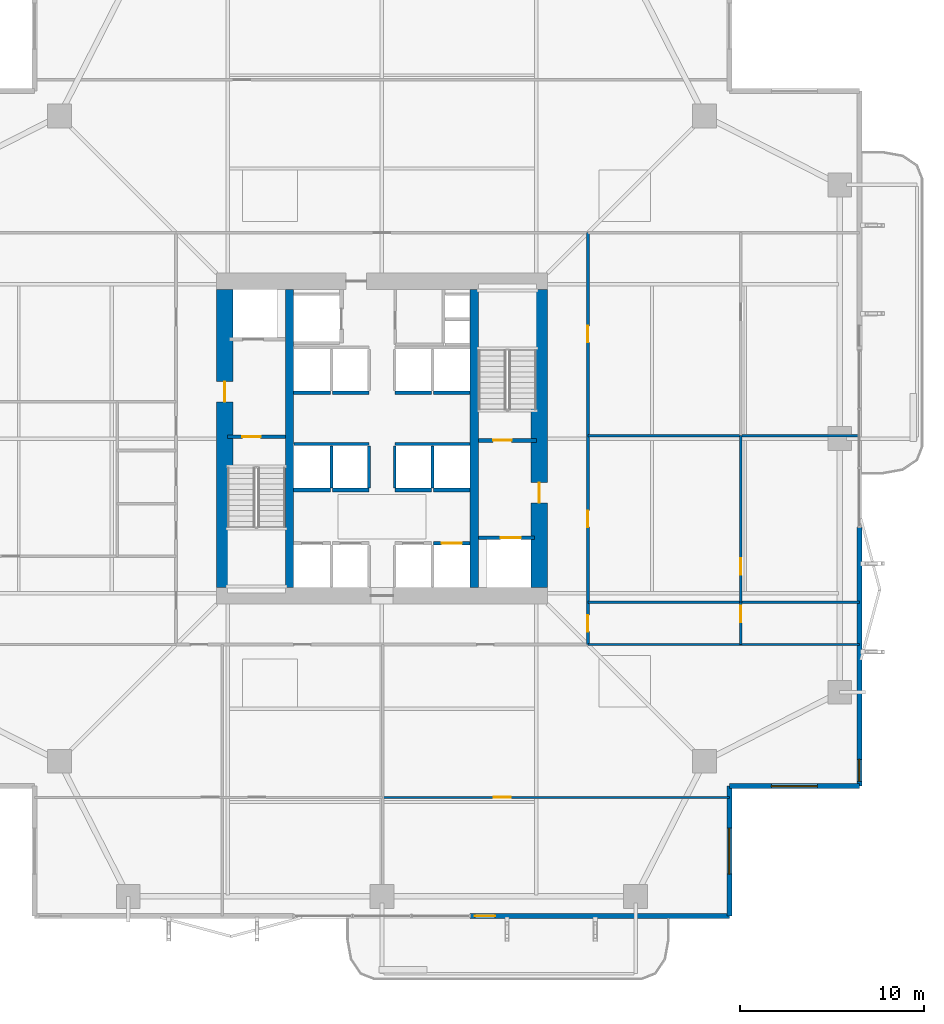
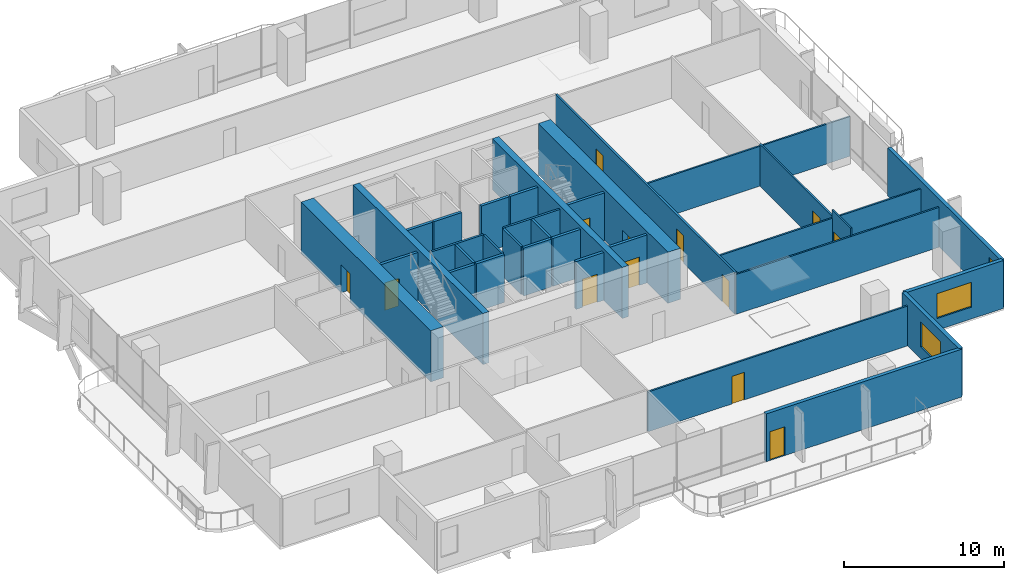
# One storey, part 18 of 24: 33 walls, 13 doors, 3 windows, 16 openings.
"""IFC4 building model written with IfcOpenShell, lengths in metres."""

from ifc_helpers import new_model, si_unit, direction, frame, frame_2d, origin, place, context, subcontext, project, spatial, rectangle, extrude, material, layer, layer_set, type_object, element, fill, save


model = new_model("IFC4")

# Units and contexts
model_context = context("Model", 3, precision=1e-05, world=origin(), true_north=direction((0.0, 1.0)))
body_context = subcontext(model_context, "Body", "Model", "MODEL_VIEW")
ifc_project = project(units=[si_unit("LENGTHUNIT", "METRE"), si_unit("AREAUNIT", "SQUARE_METRE"), si_unit("VOLUMEUNIT", "CUBIC_METRE"), si_unit("PLANEANGLEUNIT", "RADIAN"), si_unit("MASSUNIT", "GRAM", prefix="KILO")], contexts=[model_context])

# Site, building, storey
site_placement = place(None, origin())
site = spatial("IfcSite", under=ifc_project, at=site_placement, CompositionType="ELEMENT")
building_placement = place(site_placement, origin())
building = spatial("IfcBuilding", under=site, at=building_placement, Name="Belovzor Exchange Tower", CompositionType="ELEMENT")
storey_placement = place(building_placement, frame((0.0, 0.0, 121.199951171875)))
storey = spatial("IfcBuildingStorey", under=building, at=storey_placement, Name="L29", CompositionType="ELEMENT", Elevation=121.199951171875)

# Wall, opening, door
ifc_material_1 = material(Name="Acoustic Plasterboard on Galvanised Studs", Category="gypsum")
ifc_layer_1 = layer(ifc_material_1, 0.1201171875)
ifc_layer_set_1 = layer_set([ifc_layer_1], Name="Acoustic Plasterboard on Galvanised Studs")
wall_type_1 = type_object("IfcWallType", Name="Acoustic Double-Stud Partition Wall 120", PredefinedType="PARTITIONING", material=ifc_layer_set_1)
wall_1_placement = place(storey_placement, frame((28.839111328125, 9.280029296875, 0.0), z_axis=(0.0, 0.0, 1.0), x_axis=(1.0, 0.0, 0.0)))
wall_1 = element("IfcWall", 1, at=wall_1_placement, inside=storey, type_object=wall_type_1, Name="W-P120 Partition Wall W-L29-SHDIV-2", PredefinedType="PARTITIONING", context=body_context, shape_type="SweptSolid", body=[
    extrude(rectangle(XDim=18.86083984375, YDim=0.1201171875, at=frame_2d((9.430419921875, 0.0))), origin(), (0.0, 0.0, 1.0), 3.03515625),
])
opening_1_placement = place(wall_1_placement, frame((6.053955078125, 0.0, 0.0)))
opening_1 = element("IfcOpeningElement", 2, at=opening_1_placement, cuts=wall_1, Name="Opening D-INT-090", PredefinedType="OPENING", context=body_context, shape_type="SweptSolid", body=[
    extrude(rectangle(XDim=0.89990234375, YDim=2.10009765625, at=frame_2d((0.449951171875, 1.050048828125))), frame((0.0, 0.070068359375, 0.0), z_axis=(0.0, -1.0, 0.0), x_axis=(1.0, 0.0, 0.0)), (0.0, 0.0, 1.0), 0.14013671875),
])
ifc_material_2 = material(Name="Veneered Hardwood Acoustic Leaf", Category="wood")
door_type_1 = type_object("IfcDoorType", Name="Trading Suite Acoustic Single Door 900x2100", OperationType="NOTDEFINED", PredefinedType="DOOR", material=ifc_material_2)
door_1_placement = place(opening_1_placement, origin())
door_1 = element("IfcDoor", 3, at=door_1_placement, inside=storey, type_object=door_type_1, Name="D-INT-090 Trading Suite Acoustic Single Door 900x2100", OperationType="SINGLE_SWING_LEFT", OverallHeight=2.10009765625, OverallWidth=0.89990234375, PredefinedType="DOOR", context=body_context, shape_type="SweptSolid", body=[
    extrude(rectangle(XDim=0.89990234375, YDim=2.10009765625, at=frame_2d((0.449951171875, 1.050048828125))), frame((0.0, 0.02490234375, 0.0), z_axis=(0.0, -1.0, 0.0), x_axis=(1.0, 0.0, 0.0)), (0.0, 0.0, 1.0), 0.050048828125),
])
fill(opening_1, door_1)

# Wall
wall_2_placement = place(storey_placement, frame((40.0, 17.60009765625, 0.0), z_axis=(0.0, 0.0, 1.0), x_axis=(1.0, 0.0, 0.0)))
element("IfcWall", 4, at=wall_2_placement, inside=storey, type_object=wall_type_1, Name="W-P120 Partition Wall W-L29-END-SE", PredefinedType="PARTITIONING", context=body_context, shape_type="SweptSolid", body=[
    extrude(rectangle(XDim=14.77001953125, YDim=0.1201171875, at=frame_2d((7.385009765625, 0.0))), origin(), (0.0, 0.0, 1.0), 3.03515625),
])

# Wall, opening, door
wall_3_placement = place(storey_placement, frame((48.320068359375, 17.60009765625, 0.0), z_axis=(0.0, 0.0, 1.0), x_axis=(0.0, 1.0, 0.0)))
wall_3 = element("IfcWall", 5, at=wall_3_placement, inside=storey, type_object=wall_type_1, Name="W-P120 Partition Wall W-L29-EHDIV-0", PredefinedType="PARTITIONING", context=body_context, shape_type="SweptSolid", body=[
    extrude(rectangle(XDim=2.2998046875, YDim=0.1201171875, at=frame_2d((1.14990234375, 0.0))), origin(), (0.0, 0.0, 1.0), 3.650146484375),
])
opening_2_placement = place(wall_3_placement, frame((1.199951171875, 0.0, 0.0)))
opening_2 = element("IfcOpeningElement", 6, at=opening_2_placement, cuts=wall_3, Name="Opening D-INT-090", PredefinedType="OPENING", context=body_context, shape_type="SweptSolid", body=[
    extrude(rectangle(XDim=0.89990234375, YDim=2.10009765625, at=frame_2d((0.449951171875, 1.050048828125))), frame((0.0, 0.070068359375, 0.0), z_axis=(0.0, -1.0, 0.0), x_axis=(1.0, 0.0, 0.0)), (0.0, 0.0, 1.0), 0.14013671875),
])
door_2_placement = place(opening_2_placement, origin())
door_2 = element("IfcDoor", 7, at=door_2_placement, inside=storey, type_object=door_type_1, Name="D-INT-090 Trading Suite Acoustic Single Door 900x2100", OperationType="SINGLE_SWING_RIGHT", OverallHeight=2.10009765625, OverallWidth=0.89990234375, PredefinedType="DOOR", context=body_context, shape_type="SweptSolid", body=[
    extrude(rectangle(XDim=0.89990234375, YDim=2.10009765625, at=frame_2d((0.449951171875, 1.050048828125))), frame((0.0, 0.02490234375, 0.0), z_axis=(0.0, -1.0, 0.0), x_axis=(1.0, 0.0, 0.0)), (0.0, 0.0, 1.0), 0.050048828125),
])
fill(opening_2, door_2)

# Wall
wall_4_placement = place(storey_placement, frame((40.0, 19.89990234375, 0.0), z_axis=(0.0, 0.0, 1.0), x_axis=(1.0, 0.0, 0.0)))
element("IfcWall", 8, at=wall_4_placement, inside=storey, type_object=wall_type_1, Name="W-P120 Partition Wall W-L29-EDIV-1", PredefinedType="PARTITIONING", context=body_context, shape_type="SweptSolid", body=[
    extrude(rectangle(XDim=14.77001953125, YDim=0.1201171875, at=frame_2d((7.385009765625, 0.0))), origin(), (0.0, 0.0, 1.0), 3.03515625),
])

# Wall, opening, door
wall_5_placement = place(storey_placement, frame((48.320068359375, 19.89990234375, 0.0), z_axis=(0.0, 0.0, 1.0), x_axis=(0.0, 1.0, 0.0)))
wall_5 = element("IfcWall", 9, at=wall_5_placement, inside=storey, type_object=wall_type_1, Name="W-P120 Partition Wall W-L29-EHDIV-1", PredefinedType="PARTITIONING", context=body_context, shape_type="SweptSolid", body=[
    extrude(rectangle(XDim=9.05615234375, YDim=0.1201171875, at=frame_2d((4.528076171875, 0.0))), origin(), (0.0, 0.0, 1.0), 3.18505859375),
])
opening_3_placement = place(wall_5_placement, frame((1.492919921875, 0.0, 0.0)))
opening_3 = element("IfcOpeningElement", 10, at=opening_3_placement, cuts=wall_5, Name="Opening D-INT-090", PredefinedType="OPENING", context=body_context, shape_type="SweptSolid", body=[
    extrude(rectangle(XDim=0.89990234375, YDim=2.10009765625, at=frame_2d((0.449951171875, 1.050048828125))), frame((0.0, 0.070068359375, 0.0), z_axis=(0.0, -1.0, 0.0), x_axis=(1.0, 0.0, 0.0)), (0.0, 0.0, 1.0), 0.14013671875),
])
door_3_placement = place(opening_3_placement, origin())
door_3 = element("IfcDoor", 11, at=door_3_placement, inside=storey, type_object=door_type_1, Name="D-INT-090 Trading Suite Acoustic Single Door 900x2100", OperationType="SINGLE_SWING_RIGHT", OverallHeight=2.10009765625, OverallWidth=0.89990234375, PredefinedType="DOOR", context=body_context, shape_type="SweptSolid", body=[
    extrude(rectangle(XDim=0.89990234375, YDim=2.10009765625, at=frame_2d((0.449951171875, 1.050048828125))), frame((0.0, 0.02490234375, 0.0), z_axis=(0.0, -1.0, 0.0), x_axis=(1.0, 0.0, 0.0)), (0.0, 0.0, 1.0), 0.050048828125),
])
fill(opening_3, door_3)

# Wall
wall_6_placement = place(storey_placement, frame((40.0, 28.9560546875, 0.0), z_axis=(0.0, 0.0, 1.0), x_axis=(1.0, 0.0, 0.0)))
element("IfcWall", 12, at=wall_6_placement, inside=storey, type_object=wall_type_1, Name="W-P120 Partition Wall W-L29-EDIV-2", PredefinedType="PARTITIONING", context=body_context, shape_type="SweptSolid", body=[
    extrude(rectangle(XDim=14.77001953125, YDim=0.1201171875, at=frame_2d((7.385009765625, 0.0))), origin(), (0.0, 0.0, 1.0), 3.03515625),
])

# Wall, openings, doors
ifc_material_3 = material(Name="Fire-Rated Gypsum Block and Mineral Wool", Category="gypsum")
ifc_layer_2 = layer(ifc_material_3, 0.14990234375)
ifc_layer_set_2 = layer_set([ifc_layer_2], Name="Fire-Rated Gypsum Block and Mineral Wool")
wall_type_2 = type_object("IfcWallType", Name="Fire-Rated Gypsum Block Corridor Wall 150", PredefinedType="PARTITIONING", material=ifc_layer_set_2)
wall_7_placement = place(storey_placement, frame((40.0, 17.60009765625, 0.0), z_axis=(0.0, 0.0, 1.0), x_axis=(0.0, 1.0, 0.0)))
wall_7 = element("IfcWall", 13, at=wall_7_placement, inside=storey, type_object=wall_type_2, Name="W-P150 Partition Wall W-L29-CE", PredefinedType="PARTITIONING", context=body_context, shape_type="SweptSolid", body=[
    extrude(rectangle(XDim=22.39990234375, YDim=0.14990234375, at=frame_2d((11.199951171875, 0.0))), origin(), (0.0, 0.0, 1.0), 3.18505859375),
])
opening_4_placement = place(wall_7_placement, frame((0.699951171875, 0.0, 0.0)))
opening_4 = element("IfcOpeningElement", 14, at=opening_4_placement, cuts=wall_7, Name="Opening D-INT-090", PredefinedType="OPENING", context=body_context, shape_type="SweptSolid", body=[
    extrude(rectangle(XDim=0.89990234375, YDim=2.10009765625, at=frame_2d((0.449951171875, 1.050048828125))), frame((0.0, 0.0849609375, 0.0), z_axis=(0.0, -1.0, 0.0), x_axis=(1.0, 0.0, 0.0)), (0.0, 0.0, 1.0), 0.169921875),
])
opening_5_placement = place(wall_7_placement, frame((6.3779296875, 0.0, 0.0)))
opening_5 = element("IfcOpeningElement", 15, at=opening_5_placement, cuts=wall_7, Name="Opening D-INT-090", PredefinedType="OPENING", context=body_context, shape_type="SweptSolid", body=[
    extrude(rectangle(XDim=0.89990234375, YDim=2.10009765625, at=frame_2d((0.449951171875, 1.050048828125))), frame((0.0, 0.0849609375, 0.0), z_axis=(0.0, -1.0, 0.0), x_axis=(1.0, 0.0, 0.0)), (0.0, 0.0, 1.0), 0.169921875),
])
opening_6_placement = place(wall_7_placement, frame((16.427978515625, 0.0, 0.0)))
opening_6 = element("IfcOpeningElement", 16, at=opening_6_placement, cuts=wall_7, Name="Opening D-INT-090", PredefinedType="OPENING", context=body_context, shape_type="SweptSolid", body=[
    extrude(rectangle(XDim=0.89990234375, YDim=2.10009765625, at=frame_2d((0.449951171875, 1.050048828125))), frame((0.0, 0.0849609375, 0.0), z_axis=(0.0, -1.0, 0.0), x_axis=(1.0, 0.0, 0.0)), (0.0, 0.0, 1.0), 0.169921875),
])
door_4_placement = place(opening_4_placement, origin())
door_4 = element("IfcDoor", 17, at=door_4_placement, inside=storey, type_object=door_type_1, Name="D-INT-090 Trading Suite Acoustic Single Door 900x2100", OperationType="SINGLE_SWING_LEFT", OverallHeight=2.10009765625, OverallWidth=0.89990234375, PredefinedType="DOOR", context=body_context, shape_type="SweptSolid", body=[
    extrude(rectangle(XDim=0.89990234375, YDim=2.10009765625, at=frame_2d((0.449951171875, 1.050048828125))), frame((0.0, 0.02490234375, 0.0), z_axis=(0.0, -1.0, 0.0), x_axis=(1.0, 0.0, 0.0)), (0.0, 0.0, 1.0), 0.050048828125),
])
fill(opening_4, door_4)
door_5_placement = place(opening_5_placement, origin())
door_5 = element("IfcDoor", 18, at=door_5_placement, inside=storey, type_object=door_type_1, Name="D-INT-090 Trading Suite Acoustic Single Door 900x2100", OperationType="SINGLE_SWING_RIGHT", OverallHeight=2.10009765625, OverallWidth=0.89990234375, PredefinedType="DOOR", context=body_context, shape_type="SweptSolid", body=[
    extrude(rectangle(XDim=0.89990234375, YDim=2.10009765625, at=frame_2d((0.449951171875, 1.050048828125))), frame((0.0, 0.02490234375, 0.0), z_axis=(0.0, -1.0, 0.0), x_axis=(1.0, 0.0, 0.0)), (0.0, 0.0, 1.0), 0.050048828125),
])
fill(opening_5, door_5)
door_6_placement = place(opening_6_placement, origin())
door_6 = element("IfcDoor", 19, at=door_6_placement, inside=storey, type_object=door_type_1, Name="D-INT-090 Trading Suite Acoustic Single Door 900x2100", OperationType="SINGLE_SWING_LEFT", OverallHeight=2.10009765625, OverallWidth=0.89990234375, PredefinedType="DOOR", context=body_context, shape_type="SweptSolid", body=[
    extrude(rectangle(XDim=0.89990234375, YDim=2.10009765625, at=frame_2d((0.449951171875, 1.050048828125))), frame((0.0, 0.02490234375, 0.0), z_axis=(0.0, -1.0, 0.0), x_axis=(1.0, 0.0, 0.0)), (0.0, 0.0, 1.0), 0.050048828125),
])
fill(opening_6, door_6)

# Wall, opening, window
ifc_material_4 = material(Name="Precast concrete C40/50", Category="concrete")
ifc_layer_3 = layer(ifc_material_4, 0.280029296875)
ifc_layer_set_3 = layer_set([ifc_layer_3], Name="Precast concrete C40/50")
wall_type_3 = type_object("IfcWallType", Name="Precast Concrete Notched Corner Frame Wall 280", PredefinedType="SOLIDWALL", material=ifc_layer_set_3)
wall_8_placement = place(storey_placement, frame((54.77001953125, 9.89990234375, 0.0), z_axis=(0.0, 0.0, 1.0), x_axis=(-1.0, 0.0, 0.0)))
wall_8 = element("IfcWall", 20, at=wall_8_placement, inside=storey, type_object=wall_type_3, Name="W-CRN280 Precast Concrete Notched Corner Frame Wall 280 L29", PredefinedType="SOLIDWALL", context=body_context, shape_type="SweptSolid", body=[
    extrude(rectangle(XDim=7.070068359375, YDim=0.280029296875, at=frame_2d((3.53515625, 0.0))), origin(), (0.0, 0.0, 1.0), 3.650146484375),
])
opening_7_placement = place(wall_8_placement, frame((2.284912109375, 0.0, 0.89990234375)))
opening_7 = element("IfcOpeningElement", 21, at=opening_7_placement, cuts=wall_8, Name="Opening WN-CRN250", PredefinedType="OPENING", context=body_context, shape_type="SweptSolid", body=[
    extrude(rectangle(XDim=2.5, YDim=1.89990234375, at=frame_2d((1.25, 0.949951171875))), frame((0.0, 0.14990234375, 0.0), z_axis=(0.0, -1.0, 0.0), x_axis=(1.0, 0.0, 0.0)), (0.0, 0.0, 1.0), 0.300048828125),
])
ifc_material_5 = material(Name="Thermally Broken Aluminium and Triple Glazing", Category="aluminium")
window_type_1 = type_object("IfcWindowType", Name="Streamline Moderne Corner Wrap Ribbon Window 2500x1900", PartitioningType="SINGLE_PANEL", PredefinedType="WINDOW", material=ifc_material_5)
window_1_placement = place(opening_7_placement, origin())
window_1 = element("IfcWindow", 22, at=window_1_placement, inside=storey, type_object=window_type_1, Name="WN-CRN250 Streamline Moderne Corner Wrap Ribbon Window 2500x1900", OverallHeight=1.89990234375, OverallWidth=2.5, PartitioningType="SINGLE_PANEL", PredefinedType="WINDOW", context=body_context, shape_type="SweptSolid", body=[
    extrude(rectangle(XDim=2.5, YDim=1.89990234375, at=frame_2d((1.25, 0.949951171875))), frame((0.0, 0.030029296875, 0.0), z_axis=(0.0, -1.0, 0.0), x_axis=(1.0, 0.0, 0.0)), (0.0, 0.0, 1.0), 0.06005859375),
])
fill(opening_7, window_1)

wall_9_placement = place(storey_placement, frame((47.699951171875, 9.89990234375, 0.0), z_axis=(0.0, 0.0, 1.0), x_axis=(0.0, -1.0, 0.0)))
wall_9 = element("IfcWall", 23, at=wall_9_placement, inside=storey, type_object=wall_type_3, Name="W-CRN280 Precast Concrete Notched Corner Frame Wall 280 L29", PredefinedType="SOLIDWALL", context=body_context, shape_type="SweptSolid", body=[
    extrude(rectangle(XDim=7.06982421875, YDim=0.280029296875, at=frame_2d((3.534912109375, 0.0))), origin(), (0.0, 0.0, 1.0), 3.650146484375),
])
opening_8_placement = place(wall_9_placement, frame((2.284912109375, 0.0, 0.89990234375)))
opening_8 = element("IfcOpeningElement", 24, at=opening_8_placement, cuts=wall_9, Name="Opening WN-CRN250", PredefinedType="OPENING", context=body_context, shape_type="SweptSolid", body=[
    extrude(rectangle(XDim=2.5, YDim=1.89990234375, at=frame_2d((1.25, 0.949951171875))), frame((0.0, 0.14990234375, 0.0), z_axis=(0.0, -1.0, 0.0), x_axis=(1.0, 0.0, 0.0)), (0.0, 0.0, 1.0), 0.300048828125),
])
window_2_placement = place(opening_8_placement, origin())
window_2 = element("IfcWindow", 25, at=window_2_placement, inside=storey, type_object=window_type_1, Name="WN-CRN250 Streamline Moderne Corner Wrap Ribbon Window 2500x1900", OverallHeight=1.89990234375, OverallWidth=2.5, PartitioningType="SINGLE_PANEL", PredefinedType="WINDOW", context=body_context, shape_type="SweptSolid", body=[
    extrude(rectangle(XDim=2.5, YDim=1.89990234375, at=frame_2d((1.25, 0.949951171875))), frame((0.0, 0.030029296875, 0.0), z_axis=(0.0, -1.0, 0.0), x_axis=(1.0, 0.0, 0.0)), (0.0, 0.0, 1.0), 0.06005859375),
])
fill(opening_8, window_2)

# Wall, opening, door
ifc_material_6 = material(Name="Precast concrete C40/50", Category="concrete")
ifc_layer_4 = layer(ifc_material_6, 0.260009765625)
ifc_layer_set_4 = layer_set([ifc_layer_4], Name="Precast concrete C40/50")
wall_type_4 = type_object("IfcWallType", Name="Precast Concrete Perimeter Loggia Frame Wall 260", PredefinedType="SOLIDWALL", material=ifc_layer_set_4)
wall_10_placement = place(storey_placement, frame((47.699951171875, 2.830078125, 0.0), z_axis=(0.0, 0.0, 1.0), x_axis=(-1.0, 0.0, 0.0)))
wall_10 = element("IfcWall", 26, at=wall_10_placement, inside=storey, type_object=wall_type_4, Name="W-EXT260 Precast Concrete Perimeter Loggia Frame Wall 260 L29", PredefinedType="SOLIDWALL", context=body_context, shape_type="SweptSolid", body=[
    extrude(rectangle(XDim=14.099853515625, YDim=0.260009765625, at=frame_2d((7.0498046875, 0.0))), origin(), (0.0, 0.0, 1.0), 3.650146484375),
])
opening_9_placement = place(wall_10_placement, frame((12.75, 0.0, 0.0)))
opening_9 = element("IfcOpeningElement", 27, at=opening_9_placement, cuts=wall_10, Name="Opening D-BAL110", PredefinedType="OPENING", context=body_context, shape_type="SweptSolid", body=[
    extrude(rectangle(XDim=1.10009765625, YDim=2.199951171875, at=frame_2d((0.550048828125, 1.10009765625))), frame((0.0, 0.139892578125, 0.0), z_axis=(0.0, -1.0, 0.0), x_axis=(1.0, 0.0, 0.0)), (0.0, 0.0, 1.0), 0.280029296875),
])
ifc_material_7 = material(Name="Thermally Broken Anodised Aluminium and Laminated Glass", Category="aluminium")
door_type_2 = type_object("IfcDoorType", Name="Planted Loggia Terrace Glazed Door 1100x2200", OperationType="SINGLE_SWING_LEFT", PredefinedType="DOOR", material=ifc_material_7)
door_7_placement = place(opening_9_placement, origin())
door_7 = element("IfcDoor", 28, at=door_7_placement, inside=storey, type_object=door_type_2, Name="D-BAL110 Balcony Terrace Door L29 S", OperationType="SINGLE_SWING_LEFT", OverallHeight=2.199951171875, OverallWidth=1.10009765625, PredefinedType="DOOR", context=body_context, shape_type="SweptSolid", body=[
    extrude(rectangle(XDim=1.10009765625, YDim=2.199951171875, at=frame_2d((0.550048828125, 1.10009765625))), frame((0.0, 0.02490234375, 0.0), z_axis=(0.0, -1.0, 0.0), x_axis=(1.0, 0.0, 0.0)), (0.0, 0.0, 1.0), 0.050048828125),
])
fill(opening_9, door_7)

# Wall, opening, window
wall_11_placement = place(storey_placement, frame((54.77001953125, 24.0, 0.0), z_axis=(0.0, 0.0, 1.0), x_axis=(0.0, -1.0, 0.0)))
wall_11 = element("IfcWall", 29, at=wall_11_placement, inside=storey, type_object=wall_type_4, Name="W-EXT260 Precast Concrete Perimeter Loggia Frame Wall 260 L29", PredefinedType="SOLIDWALL", context=body_context, shape_type="SweptSolid", body=[
    extrude(rectangle(XDim=14.10009765625, YDim=0.260009765625, at=frame_2d((7.050048828125, 0.0))), origin(), (0.0, 0.0, 1.0), 3.650146484375),
])
opening_10_placement = place(wall_11_placement, frame((12.64990234375, 0.0, 0.89990234375)))
opening_10 = element("IfcOpeningElement", 30, at=opening_10_placement, cuts=wall_11, Name="Opening WN-CRN120", PredefinedType="OPENING", context=body_context, shape_type="SweptSolid", body=[
    extrude(rectangle(XDim=1.199951171875, YDim=2.10009765625, at=frame_2d((0.60009765625, 1.050048828125))), frame((0.0, 0.139892578125, 0.0), z_axis=(0.0, -1.0, 0.0), x_axis=(1.0, 0.0, 0.0)), (0.0, 0.0, 1.0), 0.280029296875),
])
ifc_material_8 = material(Name="Thermally Broken Aluminium and Triple Glazing", Category="aluminium")
window_type_2 = type_object("IfcWindowType", Name="Streamline Notched Corner Window 1200x2100", PartitioningType="SINGLE_PANEL", PredefinedType="WINDOW", material=ifc_material_8)
window_3_placement = place(opening_10_placement, origin())
window_3 = element("IfcWindow", 31, at=window_3_placement, inside=storey, type_object=window_type_2, Name="WN-CRN120 Streamline Notched Corner Window 1200x2100", OverallHeight=2.10009765625, OverallWidth=1.199951171875, PartitioningType="SINGLE_PANEL", PredefinedType="WINDOW", context=body_context, shape_type="SweptSolid", body=[
    extrude(rectangle(XDim=1.199951171875, YDim=2.10009765625, at=frame_2d((0.60009765625, 1.050048828125))), frame((0.0, 0.030029296875, 0.0), z_axis=(0.0, -1.0, 0.0), x_axis=(1.0, 0.0, 0.0)), (0.0, 0.0, 1.0), 0.06005859375),
])
fill(opening_10, window_3)

# Walls
ifc_material_9 = material(Name="Concrete C50/60", Category="concrete")
ifc_layer_5 = layer(ifc_material_9, 0.449951171875)
ifc_layer_set_5 = layer_set([ifc_layer_5], Name="Concrete C50/60")
wall_type_5 = type_object("IfcWallType", Name="Reinforced Concrete Core Internal Web Wall 450", PredefinedType="SHEAR", material=ifc_layer_set_5)
for number, where, z_axis, x_axis, name in (
    (32, (23.77490234375, 20.699951171875, 0.0), (0.0, 0.0, 1.0), (0.0, 1.0, 0.0), "CW-W045 Core Internal Web Wall L29 WL"),
    (33, (33.824951171875, 20.699951171875, 0.0), (0.0, 0.0, 1.0), (0.0, 1.0, 0.0), "CW-W045 Core Internal Web Wall L29 ER"),
):
    element("IfcWall", number, at=place(storey_placement, frame(where, z_axis=z_axis, x_axis=x_axis)), inside=storey, type_object=wall_type_5, Name=name, PredefinedType="SHEAR", context=body_context, shape_type="SweptSolid", body=[
        extrude(rectangle(XDim=16.199951171875, YDim=0.449951171875, at=frame_2d((8.10009765625, 0.0))), origin(), (0.0, 0.0, 1.0), 3.900146484375),
    ])
ifc_material_10 = material(Name="Concrete C50/60", Category="concrete")
ifc_layer_6 = layer(ifc_material_10, 0.14990234375)
ifc_layer_set_6 = layer_set([ifc_layer_6], Name="Concrete C50/60")
wall_type_6 = type_object("IfcWallType", Name="Reinforced Concrete Core Riser Shear Wall 150", PredefinedType="SHEAR", material=ifc_layer_set_6)
for number, where, z_axis, x_axis, name in (
    (34, (24.02001953125, 28.5, 0.0), (0.0, 0.0, 1.0), (1.0, 0.0, 0.0), "W-C150S Core Shaft Wall W-SHB-L29-PLM-NW"),
    (35, (29.5, 28.5, 0.0), (0.0, 0.0, 1.0), (1.0, 0.0, 0.0), "W-C150S Core Shaft Wall W-SHB-L29-PLM-NE"),
):
    element("IfcWall", number, at=place(storey_placement, frame(where, z_axis=z_axis, x_axis=x_axis)), inside=storey, type_object=wall_type_6, Name=name, PredefinedType="SHEAR", context=body_context, shape_type="SweptSolid", body=[
        extrude(rectangle(XDim=4.080078125, YDim=0.14990234375, at=frame_2d((2.0400390625, 0.0))), origin(), (0.0, 0.0, 1.0), 3.650146484375),
    ])
for number, where, z_axis, x_axis, name in (
    (36, (26.050048828125, 26.1201171875, 0.0), (0.0, 0.0, 1.0), (0.0, 1.0, 0.0), "W-C150S Core Shaft Wall W-SHD-L29-PLM-1"),
    (37, (28.10009765625, 26.1201171875, 0.0), (0.0, 0.0, 1.0), (0.0, 1.0, 0.0), "W-C150S Core Shaft Wall W-SHD-L29-PLM-2"),
    (38, (29.5, 26.1201171875, 0.0), (0.0, 0.0, 1.0), (0.0, 1.0, 0.0), "W-C150S Core Shaft Wall W-SHD-L29-PLM-3"),
    (39, (31.550048828125, 26.1201171875, 0.0), (0.0, 0.0, 1.0), (0.0, 1.0, 0.0), "W-C150S Core Shaft Wall W-SHD-L29-PLM-4"),
):
    element("IfcWall", number, at=place(storey_placement, frame(where, z_axis=z_axis, x_axis=x_axis)), inside=storey, type_object=wall_type_6, Name=name, PredefinedType="SHEAR", context=body_context, shape_type="SweptSolid", body=[
        extrude(rectangle(XDim=2.27978515625, YDim=0.14990234375, at=frame_2d((1.139892578125, 0.0))), origin(), (0.0, 0.0, 1.0), 3.650146484375),
    ])

# Wall, opening, door
ifc_material_11 = material(Name="Concrete C50/60", Category="concrete")
ifc_layer_7 = layer(ifc_material_11, 0.199951171875)
ifc_layer_set_7 = layer_set([ifc_layer_7], Name="Concrete C50/60")
wall_type_7 = type_object("IfcWallType", Name="Reinforced Concrete Core Shaft Shear Wall 200", PredefinedType="SHEAR", material=ifc_layer_set_7)
wall_12_placement = place(storey_placement, frame((20.39990234375, 28.89990234375, 0.0), z_axis=(0.0, 0.0, 1.0), x_axis=(1.0, 0.0, 0.0)))
wall_12 = element("IfcWall", 40, at=wall_12_placement, inside=storey, type_object=wall_type_7, Name="W-C200S Core Shaft Wall W-CORE-L29-FFLW1", PredefinedType="SHEAR", context=body_context, shape_type="SweptSolid", body=[
    extrude(rectangle(XDim=3.150146484375, YDim=0.199951171875, at=frame_2d((1.5751953125, 0.0))), origin(), (0.0, 0.0, 1.0), 3.650146484375),
])
opening_11_placement = place(wall_12_placement, frame((0.800048828125, 0.0, 0.0)))
opening_11 = element("IfcOpeningElement", 41, at=opening_11_placement, cuts=wall_12, Name="Opening D-FD90-100", PredefinedType="OPENING", context=body_context, shape_type="SweptSolid", body=[
    extrude(rectangle(XDim=1.0, YDim=2.10009765625, at=frame_2d((0.5, 1.050048828125))), frame((0.0, 0.10986328125, 0.0), z_axis=(0.0, -1.0, 0.0), x_axis=(1.0, 0.0, 0.0)), (0.0, 0.0, 1.0), 0.219970703125),
])
ifc_material_12 = material(Name="Fire-Rated Galvanised Steel Leaf", Category="steel")
door_type_3 = type_object("IfcDoorType", Name="Protected Stairwell Single Fire Door 1000x2100", OperationType="NOTDEFINED", PredefinedType="DOOR", material=ifc_material_12)
door_8_placement = place(opening_11_placement, origin())
door_8 = element("IfcDoor", 42, at=door_8_placement, inside=storey, type_object=door_type_3, Name="D-FD90-100 Protected Stairwell Single Fire Door 1000x2100", OperationType="SINGLE_SWING_RIGHT", OverallHeight=2.10009765625, OverallWidth=1.0, PredefinedType="DOOR", context=body_context, shape_type="SweptSolid", body=[
    extrude(rectangle(XDim=1.0, YDim=2.10009765625, at=frame_2d((0.5, 1.050048828125))), frame((0.0, 0.02490234375, 0.0), z_axis=(0.0, -1.0, 0.0), x_axis=(1.0, 0.0, 0.0)), (0.0, 0.0, 1.0), 0.050048828125),
])
fill(opening_11, door_8)

wall_13_placement = place(storey_placement, frame((34.050048828125, 28.699951171875, 0.0), z_axis=(0.0, 0.0, 1.0), x_axis=(1.0, 0.0, 0.0)))
wall_13 = element("IfcWall", 43, at=wall_13_placement, inside=storey, type_object=wall_type_7, Name="W-C200S Core Shaft Wall W-CORE-L29-FFLE2", PredefinedType="SHEAR", context=body_context, shape_type="SweptSolid", body=[
    extrude(rectangle(XDim=3.14990234375, YDim=0.199951171875, at=frame_2d((1.574951171875, 0.0))), origin(), (0.0, 0.0, 1.0), 3.650146484375),
])
opening_12_placement = place(wall_13_placement, frame((0.800048828125, 0.0, 0.0)))
opening_12 = element("IfcOpeningElement", 44, at=opening_12_placement, cuts=wall_13, Name="Opening D-FD90-100", PredefinedType="OPENING", context=body_context, shape_type="SweptSolid", body=[
    extrude(rectangle(XDim=1.0, YDim=2.10009765625, at=frame_2d((0.5, 1.050048828125))), frame((0.0, 0.10986328125, 0.0), z_axis=(0.0, -1.0, 0.0), x_axis=(1.0, 0.0, 0.0)), (0.0, 0.0, 1.0), 0.219970703125),
])
door_9_placement = place(opening_12_placement, origin())
door_9 = element("IfcDoor", 45, at=door_9_placement, inside=storey, type_object=door_type_3, Name="D-FD90-100 Protected Stairwell Single Fire Door 1000x2100", OperationType="SINGLE_SWING_LEFT", OverallHeight=2.10009765625, OverallWidth=1.0, PredefinedType="DOOR", context=body_context, shape_type="SweptSolid", body=[
    extrude(rectangle(XDim=1.0, YDim=2.10009765625, at=frame_2d((0.5, 1.050048828125))), frame((0.0, 0.02490234375, 0.0), z_axis=(0.0, -1.0, 0.0), x_axis=(1.0, 0.0, 0.0)), (0.0, 0.0, 1.0), 0.050048828125),
])
fill(opening_12, door_9)

wall_14_placement = place(storey_placement, frame((34.050048828125, 23.39990234375, 0.0), z_axis=(0.0, 0.0, 1.0), x_axis=(1.0, 0.0, 0.0)))
wall_14 = element("IfcWall", 46, at=wall_14_placement, inside=storey, type_object=wall_type_7, Name="W-C200S Core Shaft Wall W-SH-L29-FFL-02", PredefinedType="SHEAR", context=body_context, shape_type="SweptSolid", body=[
    extrude(rectangle(XDim=3.050048828125, YDim=0.199951171875, at=frame_2d((1.52490234375, 0.0))), origin(), (0.0, 0.0, 1.0), 3.650146484375),
])
opening_13_placement = place(wall_14_placement, frame((1.199951171875, 0.0, 0.0)))
opening_13 = element("IfcOpeningElement", 47, at=opening_13_placement, cuts=wall_14, Name="Opening LD-110", PredefinedType="OPENING", context=body_context, shape_type="SweptSolid", body=[
    extrude(rectangle(XDim=1.10009765625, YDim=2.14990234375, at=frame_2d((0.550048828125, 1.074951171875))), frame((0.0, 0.10986328125, 0.0), z_axis=(0.0, -1.0, 0.0), x_axis=(1.0, 0.0, 0.0)), (0.0, 0.0, 1.0), 0.219970703125),
])
ifc_material_13 = material(Name="Stainless Steel Grade 304", Category="steel")
door_type_4 = type_object("IfcDoorType", Name="Automated Stainless Steel Lift Landing Door 1100x2150", OperationType="SLIDING_TO_RIGHT", PredefinedType="DOOR", material=ifc_material_13)
door_10_placement = place(opening_13_placement, origin())
door_10 = element("IfcDoor", 48, at=door_10_placement, inside=storey, type_object=door_type_4, Name="LD-110 Automated Stainless Steel Lift Landing Door 1100x2150", OperationType="SLIDING_TO_RIGHT", OverallHeight=2.14990234375, OverallWidth=1.10009765625, PredefinedType="DOOR", context=body_context, shape_type="SweptSolid", body=[
    extrude(rectangle(XDim=1.10009765625, YDim=2.14990234375, at=frame_2d((0.550048828125, 1.074951171875))), frame((0.0, 0.02490234375, 0.0), z_axis=(0.0, -1.0, 0.0), x_axis=(1.0, 0.0, 0.0)), (0.0, 0.0, 1.0), 0.050048828125),
])
fill(opening_13, door_10)

wall_15_placement = place(storey_placement, frame((31.60009765625, 23.10009765625, 0.0), z_axis=(0.0, 0.0, 1.0), x_axis=(1.0, 0.0, 0.0)))
wall_15 = element("IfcWall", 49, at=wall_15_placement, inside=storey, type_object=wall_type_7, Name="W-C200S Core Shaft Wall W-SH-L29-PL-L4", PredefinedType="SHEAR", context=body_context, shape_type="SweptSolid", body=[
    extrude(rectangle(XDim=2.0, YDim=0.199951171875, at=frame_2d((1.0, 0.0))), origin(), (0.0, 0.0, 1.0), 3.650146484375),
])
opening_14_placement = place(wall_15_placement, frame((0.449951171875, 0.0, 0.0)))
opening_14 = element("IfcOpeningElement", 50, at=opening_14_placement, cuts=wall_15, Name="Opening LD-110", PredefinedType="OPENING", context=body_context, shape_type="SweptSolid", body=[
    extrude(rectangle(XDim=1.10009765625, YDim=2.14990234375, at=frame_2d((0.550048828125, 1.074951171875))), frame((0.0, 0.10986328125, 0.0), z_axis=(0.0, -1.0, 0.0), x_axis=(1.0, 0.0, 0.0)), (0.0, 0.0, 1.0), 0.219970703125),
])
door_11_placement = place(opening_14_placement, origin())
door_11 = element("IfcDoor", 51, at=door_11_placement, inside=storey, type_object=door_type_4, Name="LD-110 Automated Stainless Steel Lift Landing Door 1100x2150", OperationType="SLIDING_TO_RIGHT", OverallHeight=2.14990234375, OverallWidth=1.10009765625, PredefinedType="DOOR", context=body_context, shape_type="SweptSolid", body=[
    extrude(rectangle(XDim=1.10009765625, YDim=2.14990234375, at=frame_2d((0.550048828125, 1.074951171875))), frame((0.0, 0.02490234375, 0.0), z_axis=(0.0, -1.0, 0.0), x_axis=(1.0, 0.0, 0.0)), (0.0, 0.0, 1.0), 0.050048828125),
])
fill(opening_14, door_11)

# Walls
for number, where, z_axis, x_axis, name in (
    (52, (24.0, 26.0, 0.0), (0.0, 0.0, 1.0), (1.0, 0.0, 0.0), "W-C200S Core Shaft Wall W-SH-L29-PL-M1"),
    (53, (26.10009765625, 26.0, 0.0), (0.0, 0.0, 1.0), (1.0, 0.0, 0.0), "W-C200S Core Shaft Wall W-SH-L29-PL-M2"),
    (54, (29.5, 26.0, 0.0), (0.0, 0.0, 1.0), (1.0, 0.0, 0.0), "W-C200S Core Shaft Wall W-SH-L29-PL-M3"),
    (55, (31.60009765625, 26.0, 0.0), (0.0, 0.0, 1.0), (1.0, 0.0, 0.0), "W-C200S Core Shaft Wall W-SH-L29-PL-M4"),
    (56, (24.0, 31.300048828125, 0.0), (0.0, 0.0, 1.0), (1.0, 0.0, 0.0), "W-C200S Core Shaft Wall W-SH-L29-PL-H1"),
    (57, (26.10009765625, 31.300048828125, 0.0), (0.0, 0.0, 1.0), (1.0, 0.0, 0.0), "W-C200S Core Shaft Wall W-SH-L29-PL-H2"),
    (58, (29.5, 31.300048828125, 0.0), (0.0, 0.0, 1.0), (1.0, 0.0, 0.0), "W-C200S Core Shaft Wall W-SH-L29-PL-H3"),
    (59, (31.60009765625, 31.300048828125, 0.0), (0.0, 0.0, 1.0), (1.0, 0.0, 0.0), "W-C200S Core Shaft Wall W-SH-L29-PL-H4"),
):
    element("IfcWall", number, at=place(storey_placement, frame(where, z_axis=z_axis, x_axis=x_axis)), inside=storey, type_object=wall_type_7, Name=name, PredefinedType="SHEAR", context=body_context, shape_type="SweptSolid", body=[
        extrude(rectangle(XDim=2.0, YDim=0.199951171875, at=frame_2d((1.0, 0.0))), origin(), (0.0, 0.0, 1.0), 3.650146484375),
    ])

# Wall, opening, door
ifc_material_14 = material(Name="Concrete C60/75", Category="concrete")
ifc_layer_8 = layer(ifc_material_14, 0.89990234375)
ifc_layer_set_8 = layer_set([ifc_layer_8], Name="Concrete C60/75")
wall_type_8 = type_object("IfcWallType", Name="Reinforced Concrete Core Shear Wall 900", PredefinedType="SHEAR", material=ifc_layer_set_8)
wall_16_placement = place(storey_placement, frame((20.25, 20.699951171875, 0.0), z_axis=(0.0, 0.0, 1.0), x_axis=(0.0, 1.0, 0.0)))
wall_16 = element("IfcWall", 60, at=wall_16_placement, inside=storey, type_object=wall_type_8, Name="CW-S090 Core Shear Wall L29 W", PredefinedType="SHEAR", context=body_context, shape_type="SweptSolid", body=[
    extrude(rectangle(XDim=16.199951171875, YDim=0.89990234375, at=frame_2d((8.10009765625, 0.0))), origin(), (0.0, 0.0, 1.0), 3.900146484375),
])
opening_15_placement = place(wall_16_placement, frame((10.10009765625, 0.0, 0.0)))
opening_15 = element("IfcOpeningElement", 61, at=opening_15_placement, cuts=wall_16, Name="Opening D-FD90-110", PredefinedType="OPENING", context=body_context, shape_type="SweptSolid", body=[
    extrude(rectangle(XDim=1.10009765625, YDim=2.14990234375, at=frame_2d((0.550048828125, 1.074951171875))), frame((0.0, 0.4599609375, 0.0), z_axis=(0.0, -1.0, 0.0), x_axis=(1.0, 0.0, 0.0)), (0.0, 0.0, 1.0), 0.919921875),
])
ifc_material_15 = material(Name="Fire-Rated Galvanised Steel Leaf", Category="steel")
door_type_5 = type_object("IfcDoorType", Name="Protected Escape Vestibule Fire Door 1100x2150", OperationType="NOTDEFINED", PredefinedType="DOOR", material=ifc_material_15)
door_12_placement = place(opening_15_placement, origin())
door_12 = element("IfcDoor", 62, at=door_12_placement, inside=storey, type_object=door_type_5, Name="D-FD90-110 Protected Escape Vestibule Fire Door 1100x2150", OperationType="SINGLE_SWING_LEFT", OverallHeight=2.14990234375, OverallWidth=1.10009765625, PredefinedType="DOOR", context=body_context, shape_type="SweptSolid", body=[
    extrude(rectangle(XDim=1.10009765625, YDim=2.14990234375, at=frame_2d((0.550048828125, 1.074951171875))), frame((0.0, 0.02490234375, 0.0), z_axis=(0.0, -1.0, 0.0), x_axis=(1.0, 0.0, 0.0)), (0.0, 0.0, 1.0), 0.050048828125),
])
fill(opening_15, door_12)

wall_17_placement = place(storey_placement, frame((37.35009765625, 20.699951171875, 0.0), z_axis=(0.0, 0.0, 1.0), x_axis=(0.0, 1.0, 0.0)))
wall_17 = element("IfcWall", 63, at=wall_17_placement, inside=storey, type_object=wall_type_8, Name="CW-S090 Core Shear Wall L29 E", PredefinedType="SHEAR", context=body_context, shape_type="SweptSolid", body=[
    extrude(rectangle(XDim=16.199951171875, YDim=0.89990234375, at=frame_2d((8.10009765625, 0.0))), origin(), (0.0, 0.0, 1.0), 3.900146484375),
])
opening_16_placement = place(wall_17_placement, frame((4.60009765625, 0.0, 0.0)))
opening_16 = element("IfcOpeningElement", 64, at=opening_16_placement, cuts=wall_17, Name="Opening D-FD90-110", PredefinedType="OPENING", context=body_context, shape_type="SweptSolid", body=[
    extrude(rectangle(XDim=1.10009765625, YDim=2.14990234375, at=frame_2d((0.550048828125, 1.074951171875))), frame((0.0, 0.4599609375, 0.0), z_axis=(0.0, -1.0, 0.0), x_axis=(1.0, 0.0, 0.0)), (0.0, 0.0, 1.0), 0.919921875),
])
door_13_placement = place(opening_16_placement, origin())
door_13 = element("IfcDoor", 65, at=door_13_placement, inside=storey, type_object=door_type_5, Name="D-FD90-110 Protected Escape Vestibule Fire Door 1100x2150", OperationType="SINGLE_SWING_RIGHT", OverallHeight=2.14990234375, OverallWidth=1.10009765625, PredefinedType="DOOR", context=body_context, shape_type="SweptSolid", body=[
    extrude(rectangle(XDim=1.10009765625, YDim=2.14990234375, at=frame_2d((0.550048828125, 1.074951171875))), frame((0.0, 0.02490234375, 0.0), z_axis=(0.0, -1.0, 0.0), x_axis=(1.0, 0.0, 0.0)), (0.0, 0.0, 1.0), 0.050048828125),
])
fill(opening_16, door_13)

save(model, "model.ifc")
